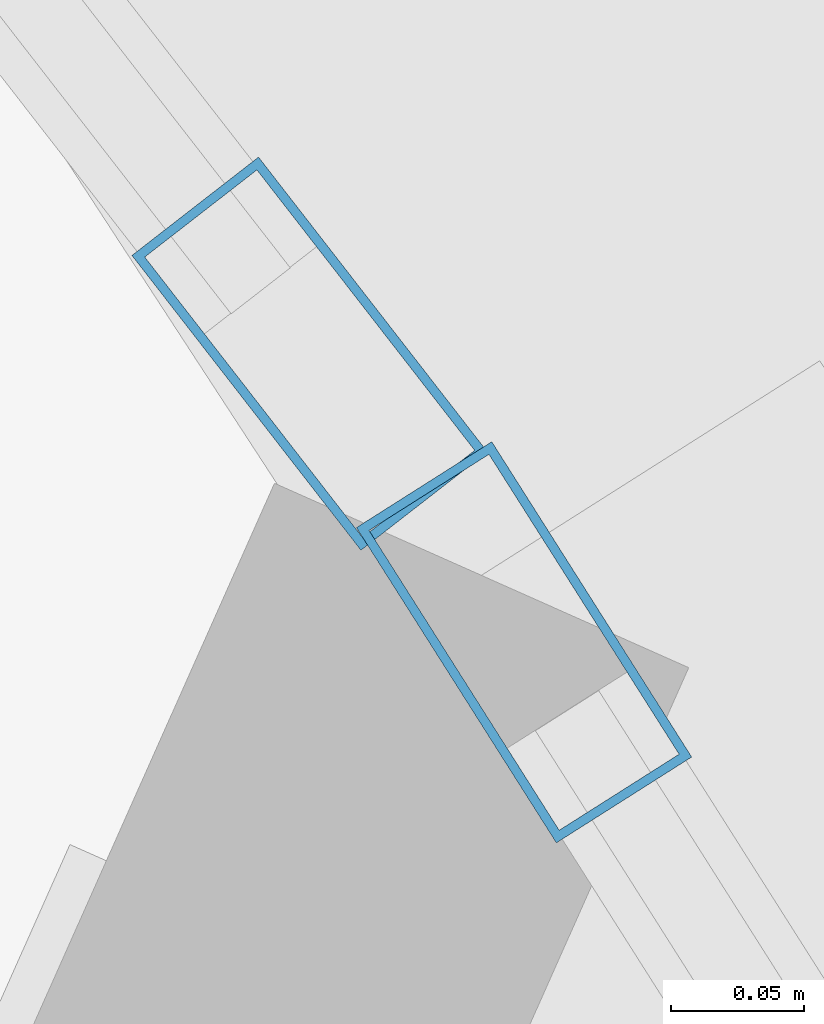
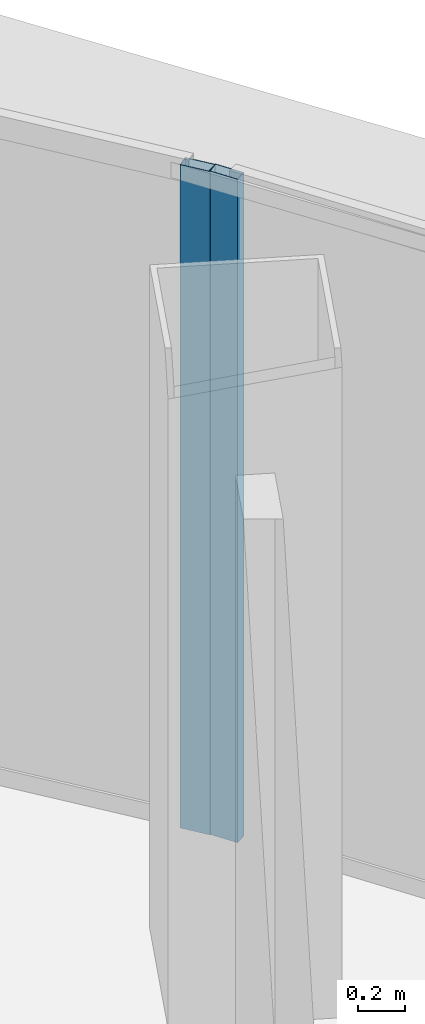
# One storey, part 25 of 33: 2 members, 2 elements without a shape of their own.
"""IFC4 building model written with IfcOpenShell, lengths in metres."""

from ifc_helpers import new_model, si_unit, direction, frame, origin, origin_2d, place, context, subcontext, project, spatial, hollow_rectangle, extrude, source, transform, mapped, material, layer, layer_set, material_profile, profile_set, type_object, element, aggregate, save


model = new_model("IFC4")

# Units and contexts
model_context = context("Model", 3, precision=1e-05, world=origin(), true_north=direction((0.0, 1.0)))
body_context = subcontext(model_context, "Body", "Model", "MODEL_VIEW")
ifc_project = project(units=[si_unit("LENGTHUNIT", "METRE"), si_unit("AREAUNIT", "SQUARE_METRE"), si_unit("VOLUMEUNIT", "CUBIC_METRE"), si_unit("PLANEANGLEUNIT", "RADIAN"), si_unit("MASSUNIT", "GRAM", prefix="KILO"), si_unit("THERMODYNAMICTEMPERATUREUNIT", "KELVIN"), si_unit("POWERUNIT", "WATT")], contexts=[model_context])

# Site, building, storey
site_placement = place(None, origin())
site = spatial("IfcSite", under=ifc_project, at=site_placement, CompositionType="ELEMENT")
building_placement = place(site_placement, origin())
building = spatial("IfcBuilding", under=site, at=building_placement, Name="Yunzhuo Pagoda Commons", CompositionType="ELEMENT")
storey_placement = place(building_placement, frame((0.0, 0.0, 311.1298828125)))
storey = spatial("IfcBuildingStorey", under=building, at=storey_placement, Name="L78", CompositionType="ELEMENT", Elevation=311.1298828125)

# Curtain wall, member
ifc_material = material(Name="Anodized aluminium 6063-T6", Category="aluminium")
ifc_layer = layer(ifc_material, 0.139892578125)
ifc_layer_set = layer_set([ifc_layer], Name="Anodized aluminium 6063-T6")
curtain_wall_type = type_object("IfcCurtainWallType", Name="CW-HI High-Zone Ribbon Curtain Wall", PredefinedType="NOTDEFINED", material=ifc_layer_set)
curtain_wall_1_placement = place(storey_placement, origin())
curtain_wall_1 = element("IfcCurtainWall", 1, at=curtain_wall_1_placement, inside=storey, type_object=curtain_wall_type, Name="L78 curtain wall CW-L78-F2B4", PredefinedType="NOTDEFINED")
ifc_material_profile = material_profile(ifc_material, hollow_rectangle(XDim=0.06005859375, YDim=0.139892578125, WallThickness=0.00341796875, at=origin_2d()), Name="Anodized aluminium 6063-T6")
ifc_profile_set = profile_set([ifc_material_profile], Name="Anodized aluminium 6063-T6")
member_type = type_object("IfcMemberType", Name="CW-HI-M Mullion RHS 140x60x3.5", PredefinedType="MULLION", material=ifc_profile_set)
shared_shape = source(origin(), body_context, "Body", "SweptSolid", [
    extrude(hollow_rectangle(XDim=0.06005859375, YDim=0.139892578125, WallThickness=0.00341796875, at=origin_2d()), origin(), (0.0, 0.0, 1.0), 3.47021484375),
])
member_1_placement = place(storey_placement, frame((60.557373046875, 61.84326171875, 0.0), z_axis=(0.0, 0.0, 1.0), x_axis=(-0.844512740935, -0.535535461383, 0.0)))
member_1 = element("IfcMember", 2, at=member_1_placement, type_object=member_type, Name="CW mullion 2", PredefinedType="MULLION", context=body_context, shape_type="MappedRepresentation", body=[
    mapped(shared_shape, transform((0.0, 0.0, 0.0), scale=1.0)),
])
aggregate(curtain_wall_1, [member_1])

curtain_wall_2_placement = place(storey_placement, origin())
curtain_wall_2 = element("IfcCurtainWall", 3, at=curtain_wall_2_placement, inside=storey, type_object=curtain_wall_type, Name="L78 curtain wall CW-L78-F2B5", PredefinedType="NOTDEFINED")
member_2_placement = place(storey_placement, frame((60.47705078125, 61.951416015625, 0.0), z_axis=(0.0, 0.0, 1.0), x_axis=(-0.789782734714, -0.61338669039, 0.0)))
member_2 = element("IfcMember", 4, at=member_2_placement, type_object=member_type, Name="CW mullion 1", PredefinedType="MULLION", context=body_context, shape_type="MappedRepresentation", body=[
    mapped(shared_shape, transform((0.0, 0.0, 0.0), scale=1.0)),
])
aggregate(curtain_wall_2, [member_2])

save(model, "model.ifc")
